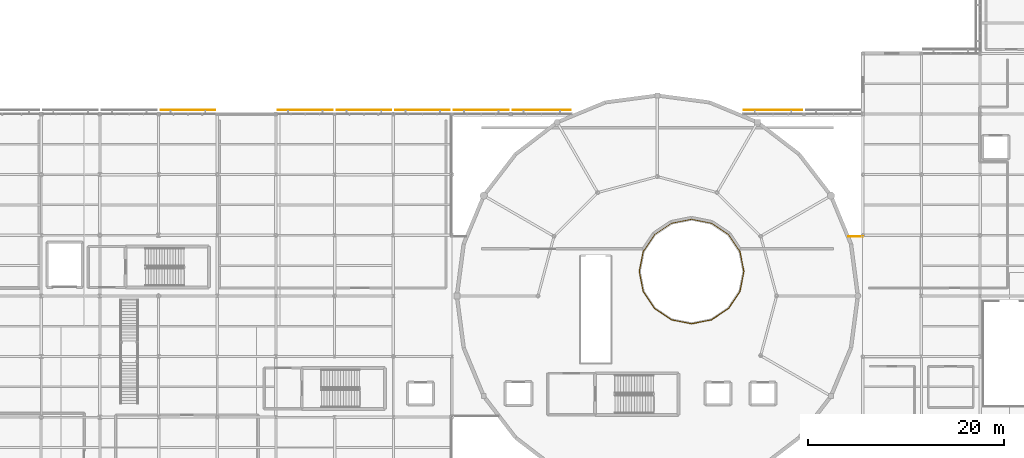
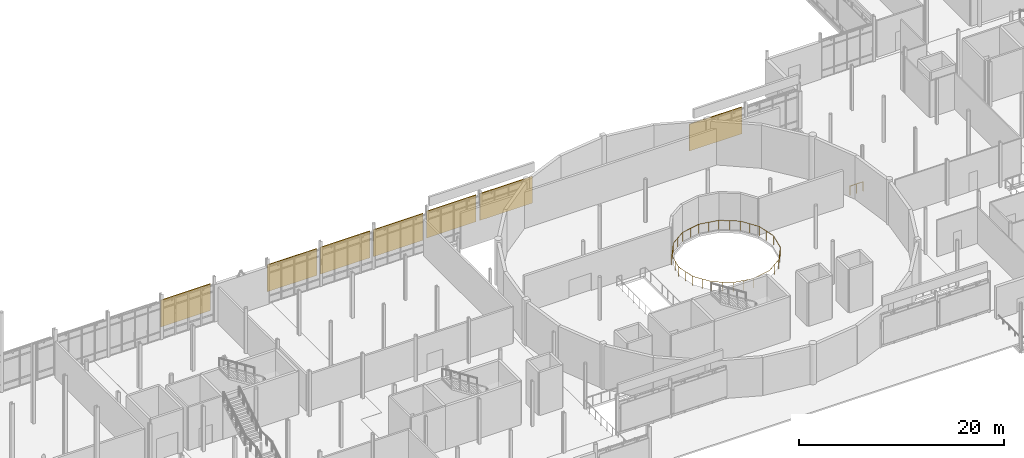
# One storey, part 98 of 105: 7 shading devices, 2 railings.
"""IFC4 building model written with IfcOpenShell, lengths in metres."""

from ifc_helpers import new_model, si_unit, direction, frame, origin, origin_2d, place, context, subcontext, project, spatial, rectangle, circle, extrude, material, layer, layer_set, type_object, element, save


model = new_model("IFC4")

# Units and contexts
model_context = context("Model", 3, precision=1e-05, world=origin(), true_north=direction((0.0, 1.0)))
body_context = subcontext(model_context, "Body", "Model", "MODEL_VIEW")
ifc_project = project(units=[si_unit("LENGTHUNIT", "METRE"), si_unit("AREAUNIT", "SQUARE_METRE"), si_unit("VOLUMEUNIT", "CUBIC_METRE"), si_unit("PLANEANGLEUNIT", "RADIAN"), si_unit("MASSUNIT", "GRAM", prefix="KILO")], contexts=[model_context])

# Site, building, storey
site_placement = place(None, origin())
site = spatial("IfcSite", under=ifc_project, at=site_placement, CompositionType="ELEMENT")
building_placement = place(site_placement, origin())
building = spatial("IfcBuilding", under=site, at=building_placement, Name="Mirzam Square Science Centre", CompositionType="ELEMENT")
storey_placement = place(building_placement, frame((0.0, 0.0, 5.39990234375)))
storey = spatial("IfcBuildingStorey", under=building, at=storey_placement, Name="L01", CompositionType="ELEMENT", Elevation=5.39990234375)

# Railings
ifc_material_1 = material(Name="Bronze-Anodised Architectural Balustrade", Category="aluminium")
railing_type_1 = type_object("IfcRailingType", Name="RL-INT-GUARD-1100", PredefinedType="GUARDRAIL", material=ifc_material_1)
railing_1_placement = place(storey_placement, frame((89.85009765625, 64.5, 0.0)))
element("IfcRailing", 1, at=railing_1_placement, inside=storey, type_object=railing_type_1, Name="L01 rotunda oculus guard", PredefinedType="GUARDRAIL", context=body_context, shape_type="SweptSolid", body=[
    extrude(circle(Radius=0.02392578125, at=origin_2d()), frame((0.0, 0.0, 1.09619140625), z_axis=(-0.195081421501, 0.980787050784, 0.0), x_axis=(-0.980787050784, -0.195081421501, 0.0)), (0.0, 0.0, 1.0), 2.08740234375),
    extrude(circle(Radius=0.02392578125, at=origin_2d()), frame((-0.4072265625, 2.04736328125, 1.09619140625), z_axis=(-0.555644460423, 0.831420010345, 0.0), x_axis=(-0.831420010345, -0.555644460423, 0.0)), (0.0, 0.0, 1.0), 2.08740234375),
    extrude(circle(Radius=0.02392578125, at=origin_2d()), frame((-1.567138671875, 3.782958984375, 1.09619140625), z_axis=(-0.831420010345, 0.555644460423, 0.0), x_axis=(-0.555644460423, -0.831420010345, 0.0)), (0.0, 0.0, 1.0), 2.08740234375),
    extrude(circle(Radius=0.02392578125, at=origin_2d()), frame((-3.302734375, 4.94287109375, 1.09619140625), z_axis=(-0.980787050784, 0.195081421501, 0.0), x_axis=(-0.195081421501, -0.980787050784, 0.0)), (0.0, 0.0, 1.0), 2.08740234375),
    extrude(circle(Radius=0.02392578125, at=origin_2d()), frame((-5.35009765625, 5.35009765625, 1.09619140625), z_axis=(-0.980787050784, -0.195081421501, 0.0), x_axis=(0.195081421501, -0.980787050784, 0.0)), (0.0, 0.0, 1.0), 2.08740234375),
    extrude(circle(Radius=0.02392578125, at=origin_2d()), frame((-7.3974609375, 4.94287109375, 1.09619140625), z_axis=(-0.831420010345, -0.555644460423, 0.0), x_axis=(0.555644460423, -0.831420010345, 0.0)), (0.0, 0.0, 1.0), 2.08740234375),
    extrude(circle(Radius=0.02392578125, at=origin_2d()), frame((-9.133056640625, 3.782958984375, 1.09619140625), z_axis=(-0.555644460423, -0.831420010345, 0.0), x_axis=(0.831420010345, -0.555644460423, 0.0)), (0.0, 0.0, 1.0), 2.08740234375),
    extrude(circle(Radius=0.02392578125, at=origin_2d()), frame((-10.29296875, 2.04736328125, 1.09619140625), z_axis=(-0.195081421501, -0.980787050784, 0.0), x_axis=(0.980787050784, -0.195081421501, 0.0)), (0.0, 0.0, 1.0), 2.08740234375),
    extrude(circle(Radius=0.02392578125, at=origin_2d()), frame((-10.7001953125, 0.0, 1.09619140625), z_axis=(0.195081421501, -0.980787050784, 0.0), x_axis=(0.980787050784, 0.195081421501, 0.0)), (0.0, 0.0, 1.0), 2.08740234375),
    extrude(circle(Radius=0.02392578125, at=origin_2d()), frame((-10.29296875, -2.04736328125, 1.09619140625), z_axis=(0.555644460423, -0.831420010345, 0.0), x_axis=(0.831420010345, 0.555644460423, 0.0)), (0.0, 0.0, 1.0), 2.08740234375),
    extrude(circle(Radius=0.02392578125, at=origin_2d()), frame((-9.133056640625, -3.782958984375, 1.09619140625), z_axis=(0.831420010345, -0.555644460423, 0.0), x_axis=(0.555644460423, 0.831420010345, 0.0)), (0.0, 0.0, 1.0), 2.08740234375),
    extrude(circle(Radius=0.02392578125, at=origin_2d()), frame((-7.3974609375, -4.94287109375, 1.09619140625), z_axis=(0.980787050784, -0.195081421501, 0.0), x_axis=(0.195081421501, 0.980787050784, 0.0)), (0.0, 0.0, 1.0), 2.08740234375),
    extrude(circle(Radius=0.02392578125, at=origin_2d()), frame((-5.35009765625, -5.35009765625, 1.09619140625), z_axis=(0.980787050784, 0.195081421501, 0.0), x_axis=(-0.195081421501, 0.980787050784, 0.0)), (0.0, 0.0, 1.0), 2.08740234375),
    extrude(circle(Radius=0.02392578125, at=origin_2d()), frame((-3.302734375, -4.94287109375, 1.09619140625), z_axis=(0.831420010345, 0.555644460423, 0.0), x_axis=(-0.555644460423, 0.831420010345, 0.0)), (0.0, 0.0, 1.0), 2.08740234375),
    extrude(circle(Radius=0.02392578125, at=origin_2d()), frame((-1.567138671875, -3.782958984375, 1.09619140625), z_axis=(0.555644460423, 0.831420010345, 0.0), x_axis=(-0.831420010345, 0.555644460423, 0.0)), (0.0, 0.0, 1.0), 2.08740234375),
    extrude(circle(Radius=0.02392578125, at=origin_2d()), frame((-0.4072265625, -2.04736328125, 1.09619140625), z_axis=(0.195014339174, 0.98080039127, 0.0), x_axis=(-0.98080039127, 0.195014339174, 0.0)), (0.0, 0.0, 1.0), 2.045654296875),
    extrude(circle(Radius=0.02099609375, at=origin_2d()), origin(), (0.0, 0.0, 1.0), 1.072021484375),
    extrude(circle(Radius=0.02099609375, at=origin_2d()), frame((-0.20361328125, 1.023681640625, 0.0)), (0.0, 0.0, 1.0), 1.072021484375),
    extrude(circle(Radius=0.02099609375, at=origin_2d()), frame((-0.4072265625, 2.04736328125, 0.0)), (0.0, 0.0, 1.0), 1.072021484375),
    extrude(circle(Radius=0.02099609375, at=origin_2d()), frame((-0.9873046875, 2.9150390625, 0.0)), (0.0, 0.0, 1.0), 1.072021484375),
    extrude(circle(Radius=0.02099609375, at=origin_2d()), frame((-1.567138671875, 3.782958984375, 0.0)), (0.0, 0.0, 1.0), 1.072021484375),
    extrude(circle(Radius=0.02099609375, at=origin_2d()), frame((-2.43505859375, 4.36279296875, 0.0)), (0.0, 0.0, 1.0), 1.072021484375),
    extrude(circle(Radius=0.02099609375, at=origin_2d()), frame((-3.302734375, 4.94287109375, 0.0)), (0.0, 0.0, 1.0), 1.072021484375),
    extrude(circle(Radius=0.02099609375, at=origin_2d()), frame((-4.326416015625, 5.146484375, 0.0)), (0.0, 0.0, 1.0), 1.072021484375),
    extrude(circle(Radius=0.02099609375, at=origin_2d()), frame((-5.35009765625, 5.35009765625, 0.0)), (0.0, 0.0, 1.0), 1.072021484375),
    extrude(circle(Radius=0.02099609375, at=origin_2d()), frame((-6.373779296875, 5.146484375, 0.0)), (0.0, 0.0, 1.0), 1.072021484375),
    extrude(circle(Radius=0.02099609375, at=origin_2d()), frame((-7.3974609375, 4.94287109375, 0.0)), (0.0, 0.0, 1.0), 1.072021484375),
    extrude(circle(Radius=0.02099609375, at=origin_2d()), frame((-8.26513671875, 4.36279296875, 0.0)), (0.0, 0.0, 1.0), 1.072021484375),
    extrude(circle(Radius=0.02099609375, at=origin_2d()), frame((-9.133056640625, 3.782958984375, 0.0)), (0.0, 0.0, 1.0), 1.072021484375),
    extrude(circle(Radius=0.02099609375, at=origin_2d()), frame((-9.712890625, 2.9150390625, 0.0)), (0.0, 0.0, 1.0), 1.072021484375),
    extrude(circle(Radius=0.02099609375, at=origin_2d()), frame((-10.29296875, 2.04736328125, 0.0)), (0.0, 0.0, 1.0), 1.072021484375),
    extrude(circle(Radius=0.02099609375, at=origin_2d()), frame((-10.49658203125, 1.023681640625, 0.0)), (0.0, 0.0, 1.0), 1.072021484375),
    extrude(circle(Radius=0.02099609375, at=origin_2d()), frame((-10.7001953125, 0.0, 0.0)), (0.0, 0.0, 1.0), 1.072021484375),
    extrude(circle(Radius=0.02099609375, at=origin_2d()), frame((-10.49658203125, -1.023681640625, 0.0)), (0.0, 0.0, 1.0), 1.072021484375),
    extrude(circle(Radius=0.02099609375, at=origin_2d()), frame((-10.29296875, -2.04736328125, 0.0)), (0.0, 0.0, 1.0), 1.072021484375),
    extrude(circle(Radius=0.02099609375, at=origin_2d()), frame((-9.712890625, -2.9150390625, 0.0)), (0.0, 0.0, 1.0), 1.072021484375),
    extrude(circle(Radius=0.02099609375, at=origin_2d()), frame((-9.133056640625, -3.782958984375, 0.0)), (0.0, 0.0, 1.0), 1.072021484375),
    extrude(circle(Radius=0.02099609375, at=origin_2d()), frame((-8.26513671875, -4.36279296875, 0.0)), (0.0, 0.0, 1.0), 1.072021484375),
    extrude(circle(Radius=0.02099609375, at=origin_2d()), frame((-7.3974609375, -4.94287109375, 0.0)), (0.0, 0.0, 1.0), 1.072021484375),
    extrude(circle(Radius=0.02099609375, at=origin_2d()), frame((-6.373779296875, -5.146484375, 0.0)), (0.0, 0.0, 1.0), 1.072021484375),
    extrude(circle(Radius=0.02099609375, at=origin_2d()), frame((-5.35009765625, -5.35009765625, 0.0)), (0.0, 0.0, 1.0), 1.072021484375),
    extrude(circle(Radius=0.02099609375, at=origin_2d()), frame((-4.326416015625, -5.146484375, 0.0)), (0.0, 0.0, 1.0), 1.072021484375),
    extrude(circle(Radius=0.02099609375, at=origin_2d()), frame((-3.302734375, -4.94287109375, 0.0)), (0.0, 0.0, 1.0), 1.072021484375),
    extrude(circle(Radius=0.02099609375, at=origin_2d()), frame((-2.43505859375, -4.36279296875, 0.0)), (0.0, 0.0, 1.0), 1.072021484375),
    extrude(circle(Radius=0.02099609375, at=origin_2d()), frame((-1.567138671875, -3.782958984375, 0.0)), (0.0, 0.0, 1.0), 1.072021484375),
    extrude(circle(Radius=0.02099609375, at=origin_2d()), frame((-0.9873046875, -2.9150390625, 0.0)), (0.0, 0.0, 1.0), 1.072021484375),
    extrude(circle(Radius=0.02099609375, at=origin_2d()), frame((-0.4072265625, -2.04736328125, 0.0)), (0.0, 0.0, 1.0), 1.072021484375),
    extrude(circle(Radius=0.02099609375, at=origin_2d()), frame((-0.207763671875, -1.044189453125, 0.0)), (0.0, 0.0, 1.0), 1.072021484375),
    extrude(circle(Radius=0.02099609375, at=origin_2d()), frame((-0.00830078125, -0.041015625, 0.0)), (0.0, 0.0, 1.0), 1.072021484375),
])
railing_type_2 = type_object("IfcRailingType", Name="RL-TERR-GUARD-1100", PredefinedType="GUARDRAIL", material=ifc_material_1)
railing_2_placement = place(storey_placement, frame((100.550048828125, 68.080078125, 0.0)))
element("IfcRailing", 2, at=railing_2_placement, inside=storey, type_object=railing_type_2, Name="L01 east drum link north edge guard", PredefinedType="GUARDRAIL", context=body_context, shape_type="SweptSolid", body=[
    extrude(circle(Radius=0.02392578125, at=origin_2d()), frame((0.0, 0.0, 1.09619140625), z_axis=(1.0, 0.0, 0.0), x_axis=(0.0, 1.0, 0.0)), (0.0, 0.0, 1.0), 1.5),
    extrude(circle(Radius=0.02099609375, at=origin_2d()), origin(), (0.0, 0.0, 1.0), 1.072021484375),
    extrude(circle(Radius=0.02099609375, at=origin_2d()), frame((0.75, 0.0, 0.0)), (0.0, 0.0, 1.0), 1.072021484375),
    extrude(circle(Radius=0.02099609375, at=origin_2d()), frame((1.5, 0.0, 0.0)), (0.0, 0.0, 1.0), 1.072021484375),
])

# Shading devices
ifc_material_2 = material(Name="Perforated Bronze-Anodised Aluminium Brise-Soleil", Category="aluminium")
ifc_layer = layer(ifc_material_2, 0.080078125)
ifc_layer_set = layer_set([ifc_layer], Name="SHD-BRISE-BRONZE")
shading_device_type = type_object("IfcShadingDeviceType", Name="SHD-BRISE-BRONZE", PredefinedType="JALOUSIE", material=ifc_layer_set)
for number, where, z_axis, x_axis, name in (
    (3, (33.0, 81.010009765625, 1.09033203125), (0.0, 0.0, 1.0), (-1.0, 0.0, 0.0), "L01 bronze brise-soleil screen 12"),
    (4, (45.0, 81.010009765625, 1.09033203125), (0.0, 0.0, 1.0), (-1.0, 0.0, 0.0), "L01 bronze brise-soleil screen 13"),
    (5, (51.0, 81.010009765625, 1.09033203125), (0.0, 0.0, 1.0), (-1.0, 0.0, 0.0), "L01 bronze brise-soleil screen 14"),
    (6, (57.0, 81.010009765625, 1.09033203125), (0.0, 0.0, 1.0), (-1.0, 0.0, 0.0), "L01 bronze brise-soleil screen 15"),
    (7, (63.0, 81.010009765625, 1.2001953125), (0.0, 0.0, 1.0), (-1.0, 0.0, 0.0), "L01 bronze brise-soleil screen 42"),
):
    element("IfcShadingDevice", number, at=place(storey_placement, frame(where, z_axis=z_axis, x_axis=x_axis)), inside=storey, type_object=shading_device_type, Name=name, PredefinedType="JALOUSIE", context=body_context, shape_type="SweptSolid", body=[
        extrude(rectangle(XDim=5.590087890625, YDim=0.080078125, at=origin_2d()), origin(), (0.0, 0.0, 1.0), 3.199951171875),
    ])
for number, where, z_axis, x_axis, name in (
    (8, (69.175048828125, 81.010009765625, 1.2001953125), (0.0, 0.0, 1.0), (-1.0, 0.0, 0.0), "L01 bronze brise-soleil screen 44"),
    (9, (92.824951171875, 81.010009765625, 1.2001953125), (0.0, 0.0, 1.0), (-1.0, 0.0, 0.0), "L01 bronze brise-soleil screen 46"),
):
    element("IfcShadingDevice", number, at=place(storey_placement, frame(where, z_axis=z_axis, x_axis=x_axis)), inside=storey, type_object=shading_device_type, Name=name, PredefinedType="JALOUSIE", context=body_context, shape_type="SweptSolid", body=[
        extrude(rectangle(XDim=5.93994140625, YDim=0.080078125, at=origin_2d()), origin(), (0.0, 0.0, 1.0), 3.199951171875),
    ])

save(model, "model.ifc")
